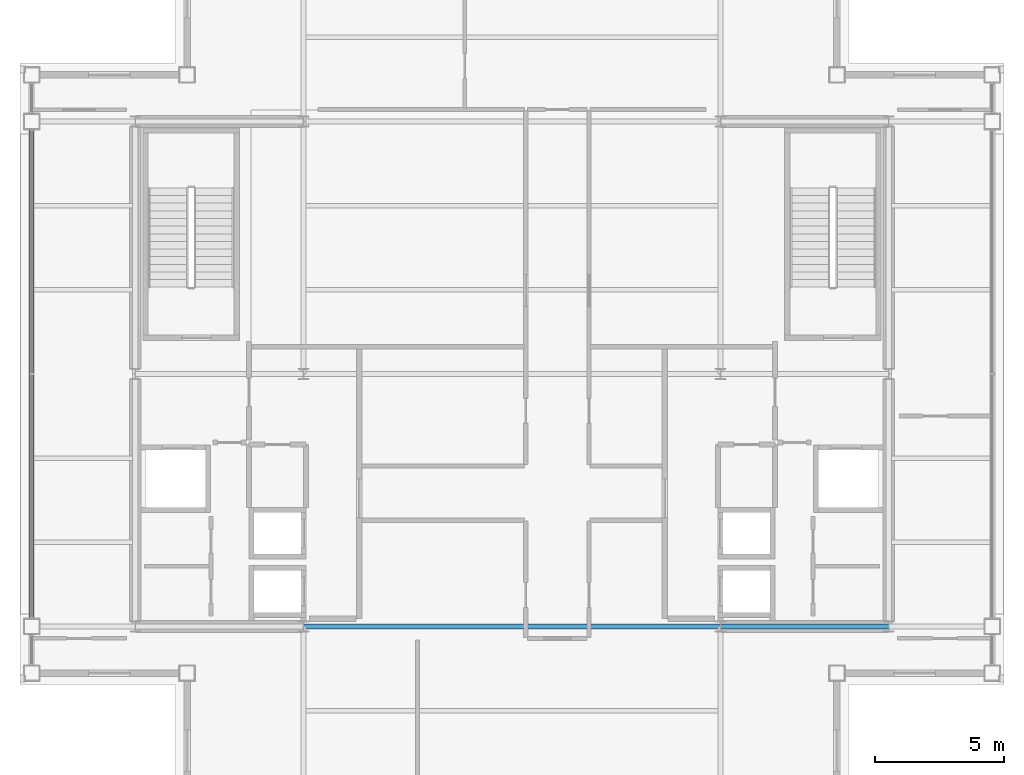
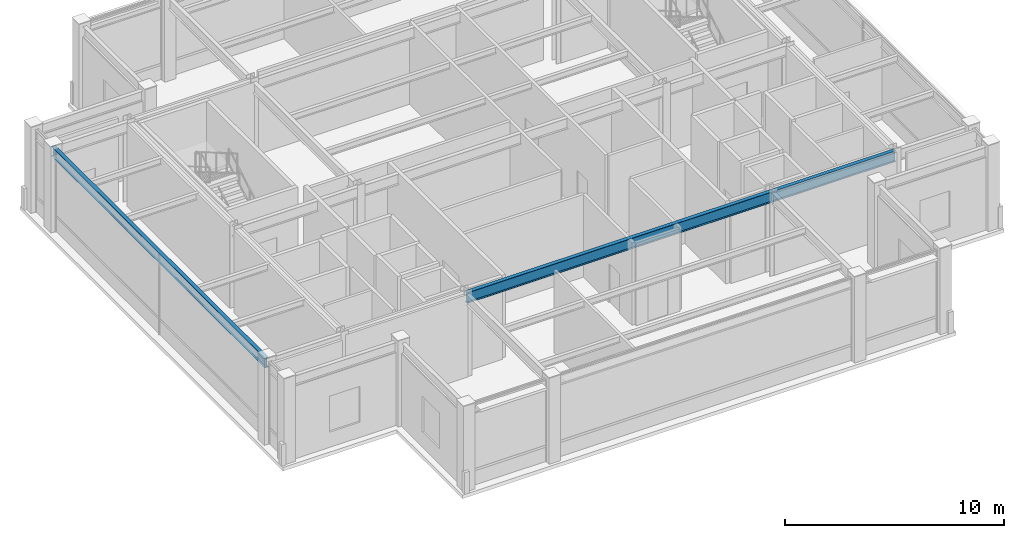
# One storey, part 5 of 21: 3 beams.
"""IFC4 building model written with IfcOpenShell, lengths in metres."""

from ifc_helpers import new_model, si_unit, direction, frame, origin, origin_2d, place, context, subcontext, project, spatial, i_section, extrude, material, material_profile, profile_set, type_object, element, save


model = new_model("IFC4")

# Units and contexts
model_context = context("Model", 3, precision=1e-05, world=origin(), true_north=direction((0.0, 1.0)))
body_context = subcontext(model_context, "Body", "Model", "MODEL_VIEW")
ifc_project = project(units=[si_unit("LENGTHUNIT", "METRE"), si_unit("AREAUNIT", "SQUARE_METRE"), si_unit("VOLUMEUNIT", "CUBIC_METRE"), si_unit("PLANEANGLEUNIT", "RADIAN"), si_unit("MASSUNIT", "GRAM", prefix="KILO")], contexts=[model_context])

# Site, building, storey
site_placement = place(None, origin())
site = spatial("IfcSite", under=ifc_project, at=site_placement, CompositionType="ELEMENT")
building_placement = place(site_placement, origin())
building = spatial("IfcBuilding", under=site, at=building_placement, Name="Brelmoor Portico Tower", CompositionType="ELEMENT")
storey_placement = place(building_placement, frame((0.0, 0.0, 284.39990234375)))
storey = spatial("IfcBuildingStorey", under=building, at=storey_placement, Name="L75", CompositionType="ELEMENT", Elevation=284.39990234375)

# Beams
ifc_material = material(Name="Steel Q355B", Category="steel")
ifc_material_profile_1 = material_profile(ifc_material, i_section(OverallWidth=0.199951171875, OverallDepth=0.60009765625, WebThickness=0.010986328125, FlangeThickness=0.01708984375, at=origin_2d()), Name="HN 600x200x11x17")
ifc_profile_set_1 = profile_set([ifc_material_profile_1], Name="Steel Q355B")
beam_type_1 = type_object("IfcBeamType", Name="BM-PG-600", PredefinedType="BEAM", material=ifc_profile_set_1)
beam_1_placement = place(storey_placement, frame((-8.050048828125, -9.75, 4.300048828125), z_axis=(1.0, 0.0, 0.0), x_axis=(0.0, 1.0, 0.0)))
element("IfcBeam", 1, at=beam_1_placement, inside=storey, type_object=beam_type_1, Name="L75 Primary Floor Girder PG-13", PredefinedType="BEAM", context=body_context, shape_type="SweptSolid", body=[
    extrude(i_section(OverallWidth=0.199951171875, OverallDepth=0.60009765625, WebThickness=0.010986328125, FlangeThickness=0.01708984375, at=origin_2d()), origin(), (0.0, 0.0, 1.0), 16.10009765625),
])
beam_2_placement = place(storey_placement, frame((8.050048828125, -9.75, 4.300048828125), z_axis=(1.0, 0.0, 0.0), x_axis=(0.0, 1.0, 0.0)))
element("IfcBeam", 2, at=beam_2_placement, inside=storey, type_object=beam_type_1, Name="L75 Primary Floor Girder PG-14", PredefinedType="BEAM", context=body_context, shape_type="SweptSolid", body=[
    extrude(i_section(OverallWidth=0.199951171875, OverallDepth=0.60009765625, WebThickness=0.010986328125, FlangeThickness=0.01708984375, at=origin_2d()), origin(), (0.0, 0.0, 1.0), 6.5),
])
ifc_material_profile_2 = material_profile(ifc_material, i_section(OverallWidth=0.199951171875, OverallDepth=0.550048828125, WebThickness=0.010009765625, FlangeThickness=0.01611328125, at=origin_2d()), Name="HN 550x200x10x16")
ifc_profile_set_2 = profile_set([ifc_material_profile_2], Name="Steel Q355B")
beam_type_2 = type_object("IfcBeamType", Name="BM-SP-550", PredefinedType="SPANDREL", material=ifc_profile_set_2)
beam_3_placement = place(storey_placement, frame((-18.550048828125, -9.75, 4.3251953125), z_axis=(0.0, 1.0, 0.0), x_axis=(-1.0, 0.0, 0.0)))
element("IfcBeam", 3, at=beam_3_placement, inside=storey, type_object=beam_type_2, Name="L75 Perimeter Spandrel Beam SP-12", PredefinedType="SPANDREL", context=body_context, shape_type="SweptSolid", body=[
    extrude(i_section(OverallWidth=0.199951171875, OverallDepth=0.550048828125, WebThickness=0.010009765625, FlangeThickness=0.01611328125, at=origin_2d()), origin(), (0.0, 0.0, 1.0), 19.5),
])

save(model, "model.ifc")
